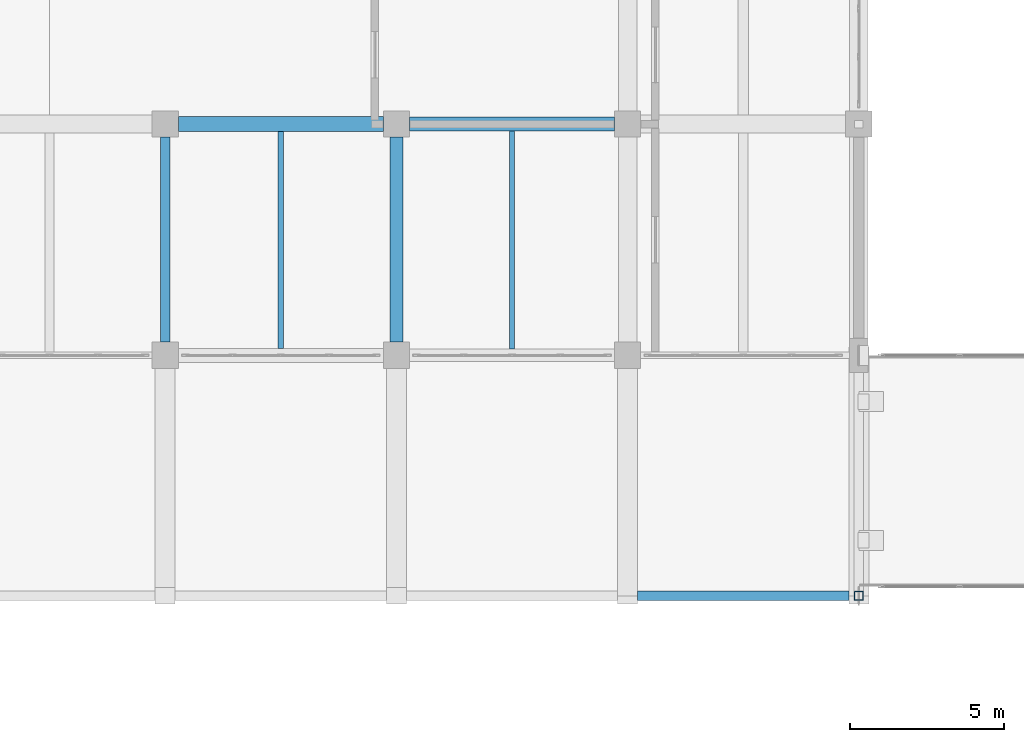
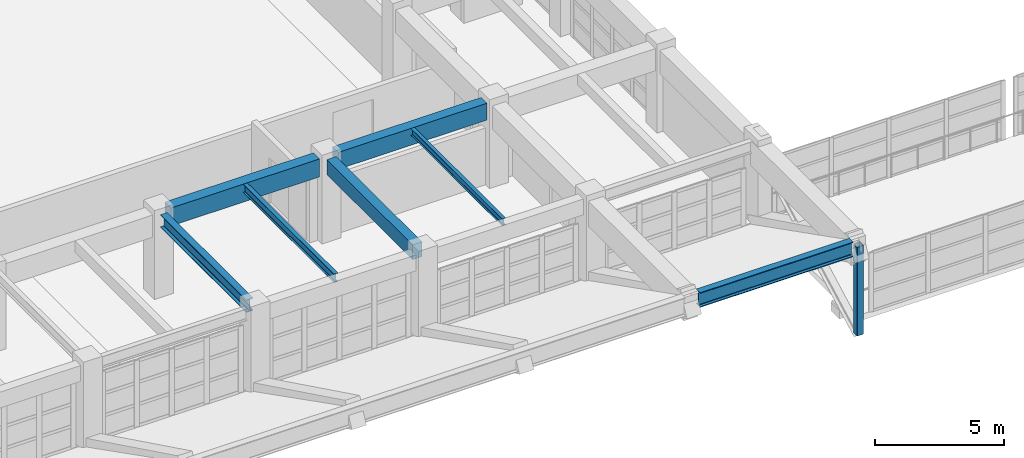
# One storey, part 33 of 132: 7 beams, 1 member.
"""IFC4 building model written with IfcOpenShell, lengths in metres."""

from ifc_helpers import new_model, si_unit, direction, frame, origin, origin_2d, place, context, subcontext, project, spatial, rectangle, hollow_rectangle, i_section, extrude, material, material_profile, profile_set, type_object, element, save


model = new_model("IFC4")

# Units and contexts
model_context = context("Model", 3, precision=1e-05, world=origin(), true_north=direction((0.0, 1.0)))
body_context = subcontext(model_context, "Body", "Model", "MODEL_VIEW")
ifc_project = project(units=[si_unit("LENGTHUNIT", "METRE"), si_unit("AREAUNIT", "SQUARE_METRE"), si_unit("VOLUMEUNIT", "CUBIC_METRE"), si_unit("PLANEANGLEUNIT", "RADIAN"), si_unit("MASSUNIT", "GRAM", prefix="KILO")], contexts=[model_context])

# Site, building, storey
site_placement = place(None, origin())
site = spatial("IfcSite", under=ifc_project, at=site_placement, CompositionType="ELEMENT")
building_placement = place(site_placement, origin())
building = spatial("IfcBuilding", under=site, at=building_placement, Name="Qasida Concert Hall", CompositionType="ELEMENT")
storey_placement = place(building_placement, frame((0.0, 0.0, 4.800048828125)))
storey = spatial("IfcBuildingStorey", under=building, at=storey_placement, Name="L01", CompositionType="ELEMENT", Elevation=4.800048828125)

# Beams
ifc_material_1 = material(Name="Concrete C40/50", Category="concrete")
ifc_material_profile_1 = material_profile(ifc_material_1, rectangle(XDim=0.419921875, YDim=0.699951171875, at=origin_2d()), Name="RC 420x700")
ifc_profile_set_1 = profile_set([ifc_material_profile_1], Name="Concrete C40/50")
beam_type_1 = type_object("IfcBeamType", Name="BM-B11", PredefinedType="BEAM", material=ifc_profile_set_1)
beam_1_placement = place(storey_placement, frame((90.0, 22.925048828125, 3.570068359375), z_axis=(0.0, 1.0, 0.0), x_axis=(-1.0, 0.0, 0.0)))
element("IfcBeam", 1, at=beam_1_placement, inside=storey, type_object=beam_type_1, Name="L01 girder 0816", PredefinedType="BEAM", context=body_context, shape_type="SweptSolid", body=[
    extrude(rectangle(XDim=0.419921875, YDim=0.699951171875, at=origin_2d()), origin(), (0.0, 0.0, 1.0), 6.64990234375),
])
ifc_material_2 = material(Name="Steel S355J2", Category="steel")
ifc_material_profile_2 = material_profile(ifc_material_2, i_section(OverallWidth=0.300048828125, OverallDepth=0.60009765625, WebThickness=0.015380859375, FlangeThickness=0.030029296875, FilletRadius=0.027099609375, at=origin_2d()), Name="HEB 600")
ifc_profile_set_2 = profile_set([ifc_material_profile_2], Name="Steel S355J2")
beam_type_2 = type_object("IfcBeamType", Name="BM-B6", PredefinedType="BEAM", material=ifc_profile_set_2)
beam_2_placement = place(storey_placement, frame((82.5, 22.925048828125, 3.619873046875), z_axis=(0.0, 1.0, 0.0), x_axis=(-1.0, 0.0, 0.0)))
element("IfcBeam", 2, at=beam_2_placement, inside=storey, type_object=beam_type_2, Name="L01 girder 0814", PredefinedType="BEAM", context=body_context, shape_type="SweptSolid", body=[
    extrude(i_section(OverallWidth=0.300048828125, OverallDepth=0.60009765625, WebThickness=0.015380859375, FlangeThickness=0.030029296875, FilletRadius=0.027099609375, at=origin_2d()), origin(), (0.0, 0.0, 1.0), 6.64990234375),
])
ifc_material_profile_3 = material_profile(ifc_material_2, i_section(OverallWidth=0.300048828125, OverallDepth=0.699951171875, WebThickness=0.01708984375, FlangeThickness=0.031982421875, FilletRadius=0.027099609375, at=origin_2d()), Name="HEB 700")
ifc_profile_set_3 = profile_set([ifc_material_profile_3], Name="Steel S355J2")
beam_type_3 = type_object("IfcBeamType", Name="BM-B7", PredefinedType="BEAM", material=ifc_profile_set_3)
beam_3_placement = place(storey_placement, frame((97.824951171875, 14.699951171875, 3.570068359375), z_axis=(1.0, 0.0, 0.0), x_axis=(0.0, 1.0, 0.0)))
element("IfcBeam", 3, at=beam_3_placement, inside=storey, type_object=beam_type_3, Name="Front overhang fascia beam 007", PredefinedType="BEAM", context=body_context, shape_type="SweptSolid", body=[
    extrude(i_section(OverallWidth=0.300048828125, OverallDepth=0.699951171875, WebThickness=0.01708984375, FlangeThickness=0.031982421875, FilletRadius=0.027099609375, at=origin_2d()), origin(), (0.0, 0.0, 1.0), 6.85009765625),
])
ifc_material_profile_4 = material_profile(ifc_material_1, rectangle(XDim=0.449951171875, YDim=0.800048828125, at=origin_2d()), Name="RC 450x800")
ifc_profile_set_4 = profile_set([ifc_material_profile_4], Name="Concrete C40/50")
beam_type_4 = type_object("IfcBeamType", Name="BM-G2", PredefinedType="USERDEFINED", material=ifc_profile_set_4)
beam_4_placement = place(storey_placement, frame((90.425048828125, 30.0, 3.52001953125), z_axis=(1.0, 0.0, 0.0), x_axis=(0.0, 1.0, 0.0)))
element("IfcBeam", 4, at=beam_4_placement, inside=storey, type_object=beam_type_4, Name="Primary girder 0772", ObjectType="GIRDER", PredefinedType="USERDEFINED", context=body_context, shape_type="SweptSolid", body=[
    extrude(rectangle(XDim=0.449951171875, YDim=0.800048828125, at=origin_2d()), origin(), (0.0, 0.0, 1.0), 6.64990234375),
])
ifc_material_profile_5 = material_profile(ifc_material_1, rectangle(XDim=0.47998046875, YDim=0.85009765625, at=origin_2d()), Name="RC 480x850")
ifc_profile_set_5 = profile_set([ifc_material_profile_5], Name="Concrete C40/50")
beam_type_5 = type_object("IfcBeamType", Name="BM-G6", PredefinedType="USERDEFINED", material=ifc_profile_set_5)
beam_5_placement = place(storey_placement, frame((82.925048828125, 30.0, 3.494873046875), z_axis=(1.0, 0.0, 0.0), x_axis=(0.0, 1.0, 0.0)))
element("IfcBeam", 5, at=beam_5_placement, inside=storey, type_object=beam_type_5, Name="Primary girder 0771", ObjectType="GIRDER", PredefinedType="USERDEFINED", context=body_context, shape_type="SweptSolid", body=[
    extrude(rectangle(XDim=0.47998046875, YDim=0.85009765625, at=origin_2d()), origin(), (0.0, 0.0, 1.0), 6.64990234375),
])
ifc_material_profile_6 = material_profile(ifc_material_2, i_section(OverallWidth=0.179931640625, OverallDepth=0.39990234375, WebThickness=0.008544921875, FlangeThickness=0.013427734375, FilletRadius=0.02099609375, at=origin_2d()), Name="IPE 400")
ifc_profile_set_6 = profile_set([ifc_material_profile_6], Name="Steel S355J2")
beam_type_6 = type_object("IfcBeamType", Name="BM-J3", PredefinedType="JOIST", material=ifc_profile_set_6)
beam_6_placement = place(storey_placement, frame((86.25, 22.72509765625, 3.719970703125), z_axis=(0.0, 1.0, 0.0), x_axis=(-1.0, 0.0, 0.0)))
element("IfcBeam", 6, at=beam_6_placement, inside=storey, type_object=beam_type_6, Name="L01 secondary joist 0842", PredefinedType="JOIST", context=body_context, shape_type="SweptSolid", body=[
    extrude(i_section(OverallWidth=0.179931640625, OverallDepth=0.39990234375, WebThickness=0.008544921875, FlangeThickness=0.013427734375, FilletRadius=0.02099609375, at=origin_2d()), origin(), (0.0, 0.0, 1.0), 7.034912109375),
])
ifc_material_profile_7 = material_profile(ifc_material_2, i_section(OverallWidth=0.159912109375, OverallDepth=0.330078125, WebThickness=0.007568359375, FlangeThickness=0.011474609375, FilletRadius=0.01806640625, at=origin_2d()), Name="IPE 330")
ifc_profile_set_7 = profile_set([ifc_material_profile_7], Name="Steel S355J2")
beam_type_7 = type_object("IfcBeamType", Name="BM-J5", PredefinedType="JOIST", material=ifc_profile_set_7)
beam_7_placement = place(storey_placement, frame((93.75, 22.699951171875, 3.7548828125), z_axis=(0.0, 1.0, 0.0), x_axis=(-1.0, 0.0, 0.0)))
element("IfcBeam", 7, at=beam_7_placement, inside=storey, type_object=beam_type_7, Name="L01 secondary joist 0844", PredefinedType="JOIST", context=body_context, shape_type="SweptSolid", body=[
    extrude(i_section(OverallWidth=0.159912109375, OverallDepth=0.330078125, WebThickness=0.007568359375, FlangeThickness=0.011474609375, FilletRadius=0.01806640625, at=origin_2d()), origin(), (0.0, 0.0, 1.0), 7.074951171875),
])

# Member
ifc_material_profile_8 = material_profile(ifc_material_2, hollow_rectangle(XDim=0.300048828125, YDim=0.300048828125, WallThickness=0.01611328125, InnerFilletRadius=0.01611328125, OuterFilletRadius=0.031982421875, at=origin_2d()), Name="SHS 300x300x16")
ifc_profile_set_8 = profile_set([ifc_material_profile_8], Name="Steel S355J2")
member_type = type_object("IfcMemberType", Name="MB-ST4", PredefinedType="STRUT", material=ifc_profile_set_8)
member_placement = place(storey_placement, frame((105.0, 14.699951171875, -0.60009765625), z_axis=(0.0, 0.0, 1.0), x_axis=(1.0, 0.0, 0.0)))
element("IfcMember", 8, at=member_placement, inside=storey, type_object=member_type, Name="Wall truss post WT-E-017", PredefinedType="STRUT", context=body_context, shape_type="SweptSolid", body=[
    extrude(hollow_rectangle(XDim=0.300048828125, YDim=0.300048828125, WallThickness=0.01611328125, InnerFilletRadius=0.01611328125, OuterFilletRadius=0.031982421875, at=origin_2d()), origin(), (0.0, 0.0, 1.0), 4.199951171875),
])

save(model, "model.ifc")
